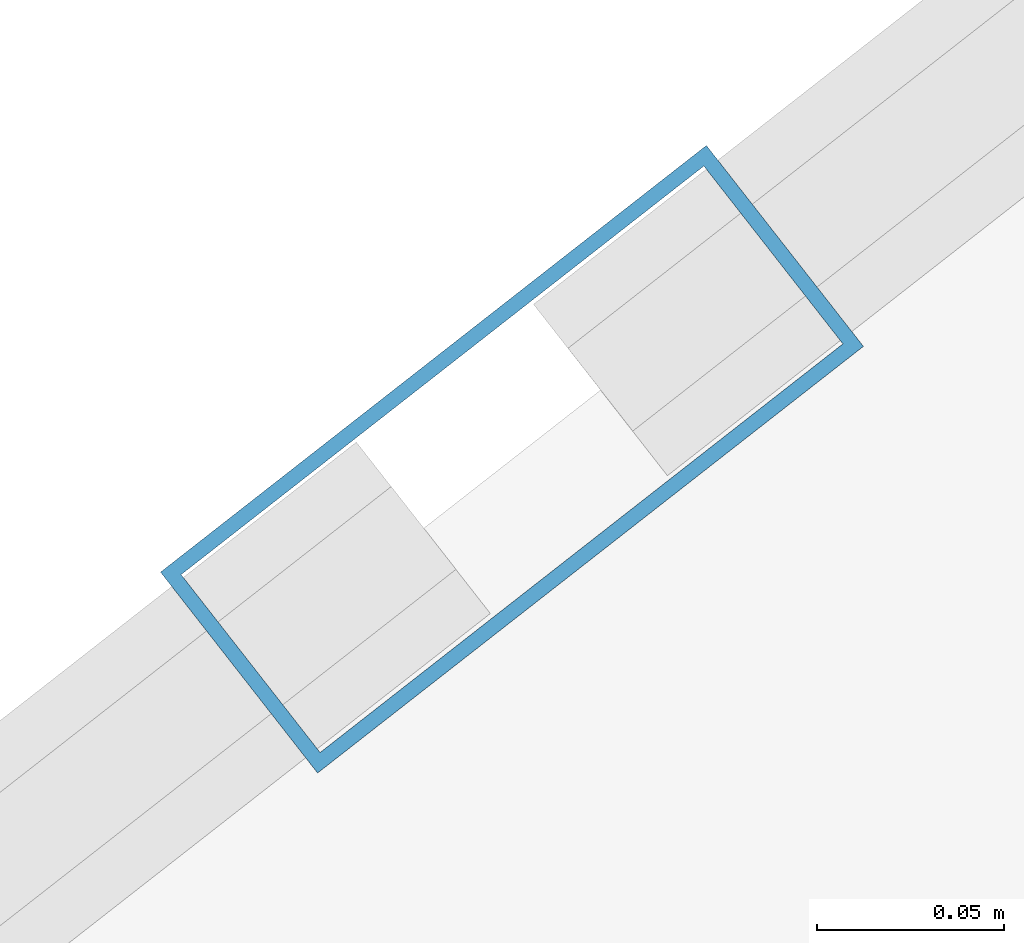
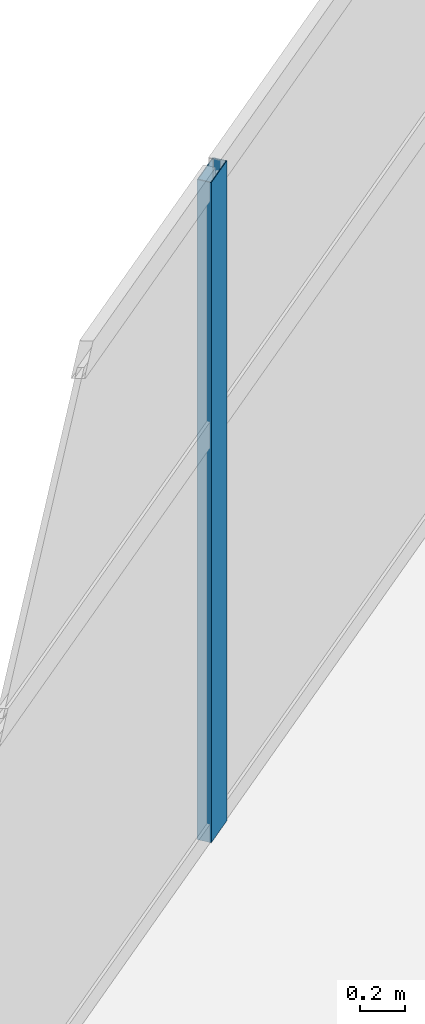
# One storey, part 12 of 30: 1 member, 1 element without a shape of its own.
"""IFC4 building model written with IfcOpenShell, lengths in metres."""

from ifc_helpers import new_model, si_unit, direction, frame, origin, origin_2d, place, context, subcontext, project, spatial, hollow_rectangle, extrude, material, layer, layer_set, material_profile, profile_set, type_object, element, aggregate, save


model = new_model("IFC4")

# Units and contexts
model_context = context("Model", 3, precision=1e-05, world=origin(), true_north=direction((0.0, 1.0)))
body_context = subcontext(model_context, "Body", "Model", "MODEL_VIEW")
ifc_project = project(units=[si_unit("LENGTHUNIT", "METRE"), si_unit("AREAUNIT", "SQUARE_METRE"), si_unit("VOLUMEUNIT", "CUBIC_METRE"), si_unit("PLANEANGLEUNIT", "RADIAN"), si_unit("MASSUNIT", "GRAM", prefix="KILO")], contexts=[model_context])

# Site, building, storey
site_placement = place(None, origin())
site = spatial("IfcSite", under=ifc_project, at=site_placement, CompositionType="ELEMENT")
building_placement = place(site_placement, origin())
building = spatial("IfcBuilding", under=site, at=building_placement, Name="Calvorn Quay Hotel", CompositionType="ELEMENT")
storey_placement = place(building_placement, frame((0.0, 0.0, 203.39990234375)))
storey = spatial("IfcBuildingStorey", under=building, at=storey_placement, Name="L50", CompositionType="ELEMENT", Elevation=203.39990234375)

# Curtain wall, member
ifc_material_1 = material(Name="Champagne Bronze Anodised Aluminium and Low-E Glass", Category="aluminium")
ifc_layer = layer(ifc_material_1, 0.219970703125)
ifc_layer_set = layer_set([ifc_layer], Name="CW-SYS-Z3")
curtain_wall_type = type_object("IfcCurtainWallType", Name="CW-SYS-Z3", PredefinedType="NOTDEFINED", material=ifc_layer_set)
curtain_wall_placement = place(storey_placement, origin())
curtain_wall = element("IfcCurtainWall", 1, at=curtain_wall_placement, inside=storey, type_object=curtain_wall_type, Name="Inner Court Curtain Wall L50-NE1", PredefinedType="NOTDEFINED")
ifc_material_2 = material(Name="Champagne Bronze Anodised Aluminium 6063-T6", Category="aluminium")
ifc_material_profile = material_profile(ifc_material_2, hollow_rectangle(XDim=0.068115234375, YDim=0.18505859375, WallThickness=0.00390625, at=origin_2d()), Name="ALU-M185x68x4")
ifc_profile_set = profile_set([ifc_material_profile], Name="Champagne Bronze Anodised Aluminium 6063-T6")
member_type = type_object("IfcMemberType", Name="CW-SYS-Z3-MUL", PredefinedType="MULLION", material=ifc_profile_set)
member_placement = place(storey_placement, frame((30.300048828125, 31.199951171875, 0.0), z_axis=(0.0, 0.0, 1.0), x_axis=(0.615819768044, -0.787887056174, 0.0)))
member = element("IfcMember", 2, at=member_placement, type_object=member_type, Name="CW-L50-NE1 mullion 2", PredefinedType="MULLION", context=body_context, shape_type="SweptSolid", body=[
    extrude(hollow_rectangle(XDim=0.068115234375, YDim=0.18505859375, WallThickness=0.00390625, at=origin_2d()), origin(), (0.0, 0.0, 1.0), 3.56005859375),
])
aggregate(curtain_wall, [member])

save(model, "model.ifc")
